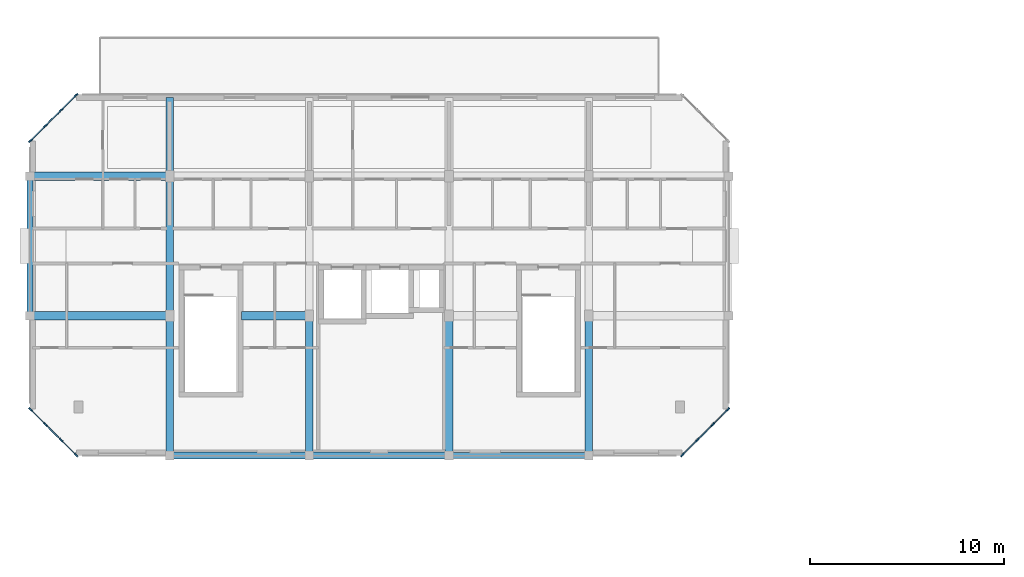
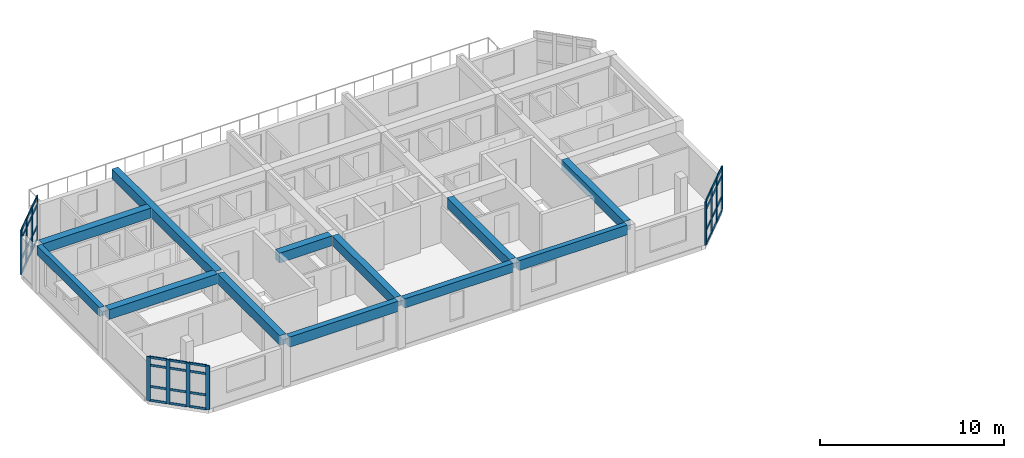
# One storey, part 3 of 30: 48 members, 12 beams, 3 elements without a shape of their own.
"""IFC4 building model written with IfcOpenShell, lengths in metres."""

from ifc_helpers import new_model, si_unit, direction, frame, origin, origin_2d, place, context, subcontext, project, spatial, rectangle, extrude, material, layer, layer_set, material_profile, profile_set, type_object, element, aggregate, save


model = new_model("IFC4")

# Units and contexts
model_context = context("Model", 3, precision=1e-05, world=origin(), true_north=direction((0.0, 1.0)))
body_context = subcontext(model_context, "Body", "Model", "MODEL_VIEW")
ifc_project = project(units=[si_unit("LENGTHUNIT", "METRE"), si_unit("AREAUNIT", "SQUARE_METRE"), si_unit("VOLUMEUNIT", "CUBIC_METRE"), si_unit("PLANEANGLEUNIT", "RADIAN"), si_unit("MASSUNIT", "GRAM", prefix="KILO")], contexts=[model_context])

# Site, building, storey
site_placement = place(None, origin())
site = spatial("IfcSite", under=ifc_project, at=site_placement, CompositionType="ELEMENT")
building_placement = place(site_placement, origin())
building = spatial("IfcBuilding", under=site, at=building_placement, Name="Ochrevale Crest", CompositionType="ELEMENT")
storey_placement = place(building_placement, frame((0.0, 0.0, 33.89990234375)))
storey = spatial("IfcBuildingStorey", under=building, at=storey_placement, Name="L10", CompositionType="ELEMENT", Elevation=33.89990234375)

# Beams
ifc_material_1 = material(Name="Precast concrete C50/60", Category="concrete")
ifc_material_profile_1 = material_profile(ifc_material_1, rectangle(XDim=0.39990234375, YDim=0.64990234375, at=origin_2d()), Name="PC 400x650")
ifc_profile_set_1 = profile_set([ifc_material_profile_1], Name="Precast concrete C50/60")
beam_type_1 = type_object("IfcBeamType", Name="BM-PC400x650", PredefinedType="BEAM", material=ifc_profile_set_1)
beam_1_placement = place(storey_placement, frame((7.199951171875, 72.205078125, 2.8251953125), z_axis=(0.0, 1.0, 0.0), x_axis=(-1.0, 0.0, 0.0)))
element("IfcBeam", 1, at=beam_1_placement, inside=storey, type_object=beam_type_1, Name="Block B L10 N-S beam X=7.2", PredefinedType="BEAM", context=body_context, shape_type="SweptSolid", body=[
    extrude(rectangle(XDim=0.39990234375, YDim=0.64990234375, at=origin_2d()), origin(), (0.0, 0.0, 1.0), 6.7900390625),
])
beam_2_placement = place(storey_placement, frame((7.199951171875, 79.219970703125, 2.8251953125), z_axis=(0.0, 1.0, 0.0), x_axis=(-1.0, 0.0, 0.0)))
element("IfcBeam", 2, at=beam_2_placement, inside=storey, type_object=beam_type_1, Name="Block B L10 N-S beam X=7.2", PredefinedType="BEAM", context=body_context, shape_type="SweptSolid", body=[
    extrude(rectangle(XDim=0.39990234375, YDim=0.64990234375, at=origin_2d()), origin(), (0.0, 0.0, 1.0), 11.22998046875),
])
for number, where, z_axis, x_axis, name in (
    (3, (14.39990234375, 72.205078125, 2.8251953125), (0.0, 1.0, 0.0), (-1.0, 0.0, 0.0), "Block B L10 N-S beam X=14.4"),
    (4, (21.60009765625, 72.205078125, 2.8251953125), (0.0, 1.0, 0.0), (-1.0, 0.0, 0.0), "Block B L10 N-S beam X=21.6"),
    (5, (28.800048828125, 72.205078125, 2.8251953125), (0.0, 1.0, 0.0), (-1.0, 0.0, 0.0), "Block B L10 N-S beam X=28.8"),
):
    element("IfcBeam", number, at=place(storey_placement, frame(where, z_axis=z_axis, x_axis=x_axis)), inside=storey, type_object=beam_type_1, Name=name, PredefinedType="BEAM", context=body_context, shape_type="SweptSolid", body=[
        extrude(rectangle(XDim=0.39990234375, YDim=0.64990234375, at=origin_2d()), origin(), (0.0, 0.0, 1.0), 6.7900390625),
    ])
ifc_material_2 = material(Name="Concrete C50/60", Category="concrete")
ifc_material_profile_2 = material_profile(ifc_material_2, rectangle(XDim=0.449951171875, YDim=0.64990234375, at=origin_2d()), Name="RC 450x650")
ifc_profile_set_2 = profile_set([ifc_material_profile_2], Name="Concrete C50/60")
beam_type_2 = type_object("IfcBeamType", Name="BM-PG450x650", PredefinedType="USERDEFINED", material=ifc_profile_set_2)
beam_3_placement = place(storey_placement, frame((0.199951171875, 79.199951171875, 2.8251953125), z_axis=(1.0, 0.0, 0.0), x_axis=(0.0, 1.0, 0.0)))
element("IfcBeam", 6, at=beam_3_placement, inside=storey, type_object=beam_type_2, Name="Block B L10 E-W beam Y=79.2", ObjectType="GIRDER", PredefinedType="USERDEFINED", context=body_context, shape_type="SweptSolid", body=[
    extrude(rectangle(XDim=0.449951171875, YDim=0.64990234375, at=origin_2d()), origin(), (0.0, 0.0, 1.0), 6.800048828125),
])
beam_4_placement = place(storey_placement, frame((10.889892578125, 79.199951171875, 2.8251953125), z_axis=(1.0, 0.0, 0.0), x_axis=(0.0, 1.0, 0.0)))
element("IfcBeam", 7, at=beam_4_placement, inside=storey, type_object=beam_type_2, Name="Block B L10 E-W beam Y=79.2", ObjectType="GIRDER", PredefinedType="USERDEFINED", context=body_context, shape_type="SweptSolid", body=[
    extrude(rectangle(XDim=0.449951171875, YDim=0.64990234375, at=origin_2d()), origin(), (0.0, 0.0, 1.0), 3.31005859375),
])
beam_5_placement = place(storey_placement, frame((0.199951171875, 86.39990234375, 2.8251953125), z_axis=(1.0, 0.0, 0.0), x_axis=(0.0, 1.0, 0.0)))
element("IfcBeam", 8, at=beam_5_placement, inside=storey, type_object=beam_type_2, Name="Block B L10 E-W beam Y=86.4", ObjectType="GIRDER", PredefinedType="USERDEFINED", context=body_context, shape_type="SweptSolid", body=[
    extrude(rectangle(XDim=0.449951171875, YDim=0.64990234375, at=origin_2d()), origin(), (0.0, 0.0, 1.0), 6.800048828125),
])
ifc_material_3 = material(Name="Precast concrete C40/50", Category="concrete")
ifc_material_profile_3 = material_profile(ifc_material_3, rectangle(XDim=0.300048828125, YDim=0.60009765625, at=origin_2d()), Name="PC 300x600")
ifc_profile_set_3 = profile_set([ifc_material_profile_3], Name="Precast concrete C40/50")
beam_type_3 = type_object("IfcBeamType", Name="BM-SP300x600", PredefinedType="SPANDREL", material=ifc_profile_set_3)
beam_6_placement = place(storey_placement, frame((0.0, 79.405029296875, 2.85009765625), z_axis=(0.0, 1.0, 0.0), x_axis=(-1.0, 0.0, 0.0)))
element("IfcBeam", 9, at=beam_6_placement, inside=storey, type_object=beam_type_3, Name="Block B L10 N-S beam X=0.0", PredefinedType="SPANDREL", context=body_context, shape_type="SweptSolid", body=[
    extrude(rectangle(XDim=0.300048828125, YDim=0.60009765625, at=origin_2d()), origin(), (0.0, 0.0, 1.0), 6.7900390625),
])
ifc_material_profile_4 = material_profile(ifc_material_3, rectangle(XDim=0.300048828125, YDim=0.64990234375, at=origin_2d()), Name="PC 300x650")
ifc_profile_set_4 = profile_set([ifc_material_profile_4], Name="Precast concrete C40/50")
beam_type_4 = type_object("IfcBeamType", Name="BM-SP300x650", PredefinedType="SPANDREL", material=ifc_profile_set_4)
beam_7_placement = place(storey_placement, frame((21.800048828125, 72.0, 2.8251953125), z_axis=(1.0, 0.0, 0.0), x_axis=(0.0, 1.0, 0.0)))
element("IfcBeam", 10, at=beam_7_placement, inside=storey, type_object=beam_type_4, Name="Block B L10 E-W beam Y=72.0", PredefinedType="SPANDREL", context=body_context, shape_type="SweptSolid", body=[
    extrude(rectangle(XDim=0.300048828125, YDim=0.64990234375, at=origin_2d()), origin(), (0.0, 0.0, 1.0), 6.800048828125),
])
ifc_material_profile_5 = material_profile(ifc_material_3, rectangle(XDim=0.35009765625, YDim=0.60009765625, at=origin_2d()), Name="PC 350x600")
ifc_profile_set_5 = profile_set([ifc_material_profile_5], Name="Precast concrete C40/50")
beam_type_5 = type_object("IfcBeamType", Name="BM-SP350x600", PredefinedType="SPANDREL", material=ifc_profile_set_5)
beam_8_placement = place(storey_placement, frame((14.60009765625, 72.0, 2.85009765625), z_axis=(1.0, 0.0, 0.0), x_axis=(0.0, 1.0, 0.0)))
element("IfcBeam", 11, at=beam_8_placement, inside=storey, type_object=beam_type_5, Name="Block B L10 E-W beam Y=72.0", PredefinedType="SPANDREL", context=body_context, shape_type="SweptSolid", body=[
    extrude(rectangle(XDim=0.35009765625, YDim=0.60009765625, at=origin_2d()), origin(), (0.0, 0.0, 1.0), 6.7998046875),
])
ifc_material_profile_6 = material_profile(ifc_material_3, rectangle(XDim=0.35009765625, YDim=0.679931640625, at=origin_2d()), Name="PC 350x680")
ifc_profile_set_6 = profile_set([ifc_material_profile_6], Name="Precast concrete C40/50")
beam_type_6 = type_object("IfcBeamType", Name="BM-SP350x680", PredefinedType="SPANDREL", material=ifc_profile_set_6)
beam_9_placement = place(storey_placement, frame((7.39990234375, 72.0, 2.81005859375), z_axis=(1.0, 0.0, 0.0), x_axis=(0.0, 1.0, 0.0)))
element("IfcBeam", 12, at=beam_9_placement, inside=storey, type_object=beam_type_6, Name="Block B L10 E-W beam Y=72.0", PredefinedType="SPANDREL", context=body_context, shape_type="SweptSolid", body=[
    extrude(rectangle(XDim=0.35009765625, YDim=0.679931640625, at=origin_2d()), origin(), (0.0, 0.0, 1.0), 6.800048828125),
])

# Curtain wall, members
ifc_material_4 = material(Name="Anodised aluminium 6063-T5", Category="aluminium")
ifc_layer_1 = layer(ifc_material_4, 0.14990234375)
ifc_layer_set_1 = layer_set([ifc_layer_1], Name="Anodised aluminium 6063-T5")
curtain_wall_type_1 = type_object("IfcCurtainWallType", Name="CW-WG-320x285", PredefinedType="NOTDEFINED", material=ifc_layer_set_1)
curtain_wall_1_placement = place(storey_placement, origin())
curtain_wall_1 = element("IfcCurtainWall", 13, at=curtain_wall_1_placement, inside=storey, type_object=curtain_wall_type_1, Name="Block B L10 chamfered corner wintergarden curtain wall 2", PredefinedType="NOTDEFINED")
ifc_material_profile_7 = material_profile(ifc_material_4, rectangle(XDim=0.074951171875, YDim=0.219970703125, at=origin_2d()), Name="ALU 75x220")
ifc_profile_set_7 = profile_set([ifc_material_profile_7], Name="Anodised aluminium 6063-T5")
member_type_1 = type_object("IfcMemberType", Name="CW-MUL-75x220", PredefinedType="MULLION", material=ifc_profile_set_7)
member_1_placement = place(storey_placement, frame((33.62646484375, 72.026611328125, 0.0), z_axis=(0.0, 0.0, 1.0), x_axis=(-0.707106781187, 0.707106781187, 0.0)))
member_1 = element("IfcMember", 14, at=member_1_placement, type_object=member_type_1, Name="CW17 mullion 1", PredefinedType="MULLION", context=body_context, shape_type="SweptSolid", body=[
    extrude(rectangle(XDim=0.074951171875, YDim=0.219970703125, at=origin_2d()), origin(), (0.0, 0.0, 1.0), 2.91015625),
])
member_2_placement = place(storey_placement, frame((34.39990234375, 72.800048828125, 0.0), z_axis=(0.0, 0.0, 1.0), x_axis=(-0.707106781187, 0.707106781187, 0.0)))
member_2 = element("IfcMember", 15, at=member_2_placement, type_object=member_type_1, Name="CW17 mullion 2", PredefinedType="MULLION", context=body_context, shape_type="SweptSolid", body=[
    extrude(rectangle(XDim=0.074951171875, YDim=0.219970703125, at=origin_2d()), origin(), (0.0, 0.0, 1.0), 2.91015625),
])
member_3_placement = place(storey_placement, frame((35.199951171875, 73.60009765625, 0.0), z_axis=(0.0, 0.0, 1.0), x_axis=(-0.707106781187, 0.707106781187, 0.0)))
member_3 = element("IfcMember", 16, at=member_3_placement, type_object=member_type_1, Name="CW17 mullion 3", PredefinedType="MULLION", context=body_context, shape_type="SweptSolid", body=[
    extrude(rectangle(XDim=0.074951171875, YDim=0.219970703125, at=origin_2d()), origin(), (0.0, 0.0, 1.0), 2.91015625),
])
member_4_placement = place(storey_placement, frame((35.973388671875, 74.37353515625, 0.0), z_axis=(0.0, 0.0, 1.0), x_axis=(-0.707106781187, 0.707106781187, 0.0)))
member_4 = element("IfcMember", 17, at=member_4_placement, type_object=member_type_1, Name="CW17 mullion 4", PredefinedType="MULLION", context=body_context, shape_type="SweptSolid", body=[
    extrude(rectangle(XDim=0.074951171875, YDim=0.219970703125, at=origin_2d()), origin(), (0.0, 0.0, 1.0), 2.91015625),
])

ifc_layer_2 = layer(ifc_material_4, 0.14990234375)
ifc_layer_set_2 = layer_set([ifc_layer_2], Name="Anodised aluminium 6063-T5")
curtain_wall_type_2 = type_object("IfcCurtainWallType", Name="CW-WG-280x285", PredefinedType="NOTDEFINED", material=ifc_layer_set_2)
curtain_wall_2_placement = place(storey_placement, origin())
curtain_wall_2 = element("IfcCurtainWall", 18, at=curtain_wall_2_placement, inside=storey, type_object=curtain_wall_type_2, Name="Block B L10 chamfered corner wintergarden curtain wall 6", PredefinedType="NOTDEFINED")
member_5_placement = place(storey_placement, frame((2.37353515625, 90.573486328125, 0.0), z_axis=(0.0, 0.0, 1.0), x_axis=(0.707106781187, -0.707106781187, 0.0)))
member_5 = element("IfcMember", 19, at=member_5_placement, type_object=member_type_1, Name="CW16 mullion 1", PredefinedType="MULLION", context=body_context, shape_type="SweptSolid", body=[
    extrude(rectangle(XDim=0.074951171875, YDim=0.219970703125, at=origin_2d()), origin(), (0.0, 0.0, 1.0), 2.91015625),
])
member_6_placement = place(storey_placement, frame((1.60009765625, 89.800048828125, 0.0), z_axis=(0.0, 0.0, 1.0), x_axis=(0.707106781187, -0.707106781187, 0.0)))
member_6 = element("IfcMember", 20, at=member_6_placement, type_object=member_type_1, Name="CW16 mullion 2", PredefinedType="MULLION", context=body_context, shape_type="SweptSolid", body=[
    extrude(rectangle(XDim=0.074951171875, YDim=0.219970703125, at=origin_2d()), origin(), (0.0, 0.0, 1.0), 2.91015625),
])
member_7_placement = place(storey_placement, frame((0.800048828125, 89.0, 0.0), z_axis=(0.0, 0.0, 1.0), x_axis=(0.707106781187, -0.707106781187, 0.0)))
member_7 = element("IfcMember", 21, at=member_7_placement, type_object=member_type_1, Name="CW16 mullion 3", PredefinedType="MULLION", context=body_context, shape_type="SweptSolid", body=[
    extrude(rectangle(XDim=0.074951171875, YDim=0.219970703125, at=origin_2d()), origin(), (0.0, 0.0, 1.0), 2.91015625),
])
member_8_placement = place(storey_placement, frame((0.026611328125, 88.2265625, 0.0), z_axis=(0.0, 0.0, 1.0), x_axis=(0.707106781187, -0.707106781187, 0.0)))
member_8 = element("IfcMember", 22, at=member_8_placement, type_object=member_type_1, Name="CW16 mullion 4", PredefinedType="MULLION", context=body_context, shape_type="SweptSolid", body=[
    extrude(rectangle(XDim=0.074951171875, YDim=0.219970703125, at=origin_2d()), origin(), (0.0, 0.0, 1.0), 2.91015625),
])

ifc_layer_3 = layer(ifc_material_4, 0.14990234375)
ifc_layer_set_3 = layer_set([ifc_layer_3], Name="Anodised aluminium 6063-T5")
curtain_wall_type_3 = type_object("IfcCurtainWallType", Name="CW-WG-360x285", PredefinedType="NOTDEFINED", material=ifc_layer_set_3)
curtain_wall_3_placement = place(storey_placement, origin())
curtain_wall_3 = element("IfcCurtainWall", 23, at=curtain_wall_3_placement, inside=storey, type_object=curtain_wall_type_3, Name="Block B L10 chamfered corner wintergarden curtain wall 8", PredefinedType="NOTDEFINED")
member_9_placement = place(storey_placement, frame((0.026611328125, 74.37353515625, 0.0), z_axis=(0.0, 0.0, 1.0), x_axis=(0.707106781187, 0.707106781187, 0.0)))
member_9 = element("IfcMember", 24, at=member_9_placement, type_object=member_type_1, Name="CW18 mullion 1", PredefinedType="MULLION", context=body_context, shape_type="SweptSolid", body=[
    extrude(rectangle(XDim=0.074951171875, YDim=0.219970703125, at=origin_2d()), origin(), (0.0, 0.0, 1.0), 2.91015625),
])
member_10_placement = place(storey_placement, frame((0.800048828125, 73.60009765625, 0.0), z_axis=(0.0, 0.0, 1.0), x_axis=(0.707106781187, 0.707106781187, 0.0)))
member_10 = element("IfcMember", 25, at=member_10_placement, type_object=member_type_1, Name="CW18 mullion 2", PredefinedType="MULLION", context=body_context, shape_type="SweptSolid", body=[
    extrude(rectangle(XDim=0.074951171875, YDim=0.219970703125, at=origin_2d()), origin(), (0.0, 0.0, 1.0), 2.91015625),
])
member_11_placement = place(storey_placement, frame((1.60009765625, 72.800048828125, 0.0), z_axis=(0.0, 0.0, 1.0), x_axis=(0.707106781187, 0.707106781187, 0.0)))
member_11 = element("IfcMember", 26, at=member_11_placement, type_object=member_type_1, Name="CW18 mullion 3", PredefinedType="MULLION", context=body_context, shape_type="SweptSolid", body=[
    extrude(rectangle(XDim=0.074951171875, YDim=0.219970703125, at=origin_2d()), origin(), (0.0, 0.0, 1.0), 2.91015625),
])
member_12_placement = place(storey_placement, frame((2.37353515625, 72.026611328125, 0.0), z_axis=(0.0, 0.0, 1.0), x_axis=(0.707106781187, 0.707106781187, 0.0)))
member_12 = element("IfcMember", 27, at=member_12_placement, type_object=member_type_1, Name="CW18 mullion 4", PredefinedType="MULLION", context=body_context, shape_type="SweptSolid", body=[
    extrude(rectangle(XDim=0.074951171875, YDim=0.219970703125, at=origin_2d()), origin(), (0.0, 0.0, 1.0), 2.91015625),
])

# Member
ifc_material_profile_8 = material_profile(ifc_material_4, rectangle(XDim=0.06005859375, YDim=0.14990234375, at=origin_2d()), Name="ALU 60x150")
ifc_profile_set_8 = profile_set([ifc_material_profile_8], Name="Anodised aluminium 6063-T5")
member_type_2 = type_object("IfcMemberType", Name="CW-TRN-60x150", PredefinedType="USERDEFINED", material=ifc_profile_set_8)
member_13_placement = place(storey_placement, frame((33.653076171875, 72.052978515625, 0.030029296875), z_axis=(0.707106781187, 0.707106781187, 0.0), x_axis=(-0.707106781187, 0.707106781187, 0.0)))
member_13 = element("IfcMember", 28, at=member_13_placement, type_object=member_type_2, Name="CW17 transom 1.1", ObjectType="TRANSOM", PredefinedType="USERDEFINED", context=body_context, shape_type="SweptSolid", body=[
    extrude(rectangle(XDim=0.06005859375, YDim=0.14990234375, at=origin_2d()), origin(), (0.0, 0.0, 1.0), 1.018798828125),
])

member_14_placement = place(storey_placement, frame((33.653076171875, 72.052978515625, 0.9501953125), z_axis=(0.707106781187, 0.707106781187, 0.0), x_axis=(-0.707106781187, 0.707106781187, 0.0)))
member_14 = element("IfcMember", 29, at=member_14_placement, type_object=member_type_2, Name="CW17 transom 1.2", ObjectType="TRANSOM", PredefinedType="USERDEFINED", context=body_context, shape_type="SweptSolid", body=[
    extrude(rectangle(XDim=0.06005859375, YDim=0.14990234375, at=origin_2d()), origin(), (0.0, 0.0, 1.0), 1.018798828125),
])

member_15_placement = place(storey_placement, frame((33.653076171875, 72.052978515625, 2.360107421875), z_axis=(0.707106781187, 0.707106781187, 0.0), x_axis=(-0.707106781187, 0.707106781187, 0.0)))
member_15 = element("IfcMember", 30, at=member_15_placement, type_object=member_type_2, Name="CW17 transom 1.3", ObjectType="TRANSOM", PredefinedType="USERDEFINED", context=body_context, shape_type="SweptSolid", body=[
    extrude(rectangle(XDim=0.06005859375, YDim=0.14990234375, at=origin_2d()), origin(), (0.0, 0.0, 1.0), 1.018798828125),
])

member_16_placement = place(storey_placement, frame((33.653076171875, 72.052978515625, 2.880126953125), z_axis=(0.707106781187, 0.707106781187, 0.0), x_axis=(-0.707106781187, 0.707106781187, 0.0)))
member_16 = element("IfcMember", 31, at=member_16_placement, type_object=member_type_2, Name="CW17 transom 1.4", ObjectType="TRANSOM", PredefinedType="USERDEFINED", context=body_context, shape_type="SweptSolid", body=[
    extrude(rectangle(XDim=0.06005859375, YDim=0.14990234375, at=origin_2d()), origin(), (0.0, 0.0, 1.0), 1.018798828125),
])

member_17_placement = place(storey_placement, frame((34.426513671875, 72.826416015625, 0.030029296875), z_axis=(0.707106781187, 0.707106781187, 0.0), x_axis=(-0.707106781187, 0.707106781187, 0.0)))
member_17 = element("IfcMember", 32, at=member_17_placement, type_object=member_type_2, Name="CW17 transom 2.1", ObjectType="TRANSOM", PredefinedType="USERDEFINED", context=body_context, shape_type="SweptSolid", body=[
    extrude(rectangle(XDim=0.06005859375, YDim=0.14990234375, at=origin_2d()), origin(), (0.0, 0.0, 1.0), 1.056396484375),
])

member_18_placement = place(storey_placement, frame((34.426513671875, 72.826416015625, 0.9501953125), z_axis=(0.707106781187, 0.707106781187, 0.0), x_axis=(-0.707106781187, 0.707106781187, 0.0)))
member_18 = element("IfcMember", 33, at=member_18_placement, type_object=member_type_2, Name="CW17 transom 2.2", ObjectType="TRANSOM", PredefinedType="USERDEFINED", context=body_context, shape_type="SweptSolid", body=[
    extrude(rectangle(XDim=0.06005859375, YDim=0.14990234375, at=origin_2d()), origin(), (0.0, 0.0, 1.0), 1.056396484375),
])

member_19_placement = place(storey_placement, frame((34.426513671875, 72.826416015625, 2.360107421875), z_axis=(0.707106781187, 0.707106781187, 0.0), x_axis=(-0.707106781187, 0.707106781187, 0.0)))
member_19 = element("IfcMember", 34, at=member_19_placement, type_object=member_type_2, Name="CW17 transom 2.3", ObjectType="TRANSOM", PredefinedType="USERDEFINED", context=body_context, shape_type="SweptSolid", body=[
    extrude(rectangle(XDim=0.06005859375, YDim=0.14990234375, at=origin_2d()), origin(), (0.0, 0.0, 1.0), 1.056396484375),
])

member_20_placement = place(storey_placement, frame((34.426513671875, 72.826416015625, 2.880126953125), z_axis=(0.707106781187, 0.707106781187, 0.0), x_axis=(-0.707106781187, 0.707106781187, 0.0)))
member_20 = element("IfcMember", 35, at=member_20_placement, type_object=member_type_2, Name="CW17 transom 2.4", ObjectType="TRANSOM", PredefinedType="USERDEFINED", context=body_context, shape_type="SweptSolid", body=[
    extrude(rectangle(XDim=0.06005859375, YDim=0.14990234375, at=origin_2d()), origin(), (0.0, 0.0, 1.0), 1.056396484375),
])

member_21_placement = place(storey_placement, frame((35.2265625, 73.62646484375, 0.030029296875), z_axis=(0.707106781187, 0.707106781187, 0.0), x_axis=(-0.707106781187, 0.707106781187, 0.0)))
member_21 = element("IfcMember", 36, at=member_21_placement, type_object=member_type_2, Name="CW17 transom 3.1", ObjectType="TRANSOM", PredefinedType="USERDEFINED", context=body_context, shape_type="SweptSolid", body=[
    extrude(rectangle(XDim=0.06005859375, YDim=0.14990234375, at=origin_2d()), origin(), (0.0, 0.0, 1.0), 1.018798828125),
])

member_22_placement = place(storey_placement, frame((35.2265625, 73.62646484375, 0.9501953125), z_axis=(0.707106781187, 0.707106781187, 0.0), x_axis=(-0.707106781187, 0.707106781187, 0.0)))
member_22 = element("IfcMember", 37, at=member_22_placement, type_object=member_type_2, Name="CW17 transom 3.2", ObjectType="TRANSOM", PredefinedType="USERDEFINED", context=body_context, shape_type="SweptSolid", body=[
    extrude(rectangle(XDim=0.06005859375, YDim=0.14990234375, at=origin_2d()), origin(), (0.0, 0.0, 1.0), 1.018798828125),
])

member_23_placement = place(storey_placement, frame((35.2265625, 73.62646484375, 2.360107421875), z_axis=(0.707106781187, 0.707106781187, 0.0), x_axis=(-0.707106781187, 0.707106781187, 0.0)))
member_23 = element("IfcMember", 38, at=member_23_placement, type_object=member_type_2, Name="CW17 transom 3.3", ObjectType="TRANSOM", PredefinedType="USERDEFINED", context=body_context, shape_type="SweptSolid", body=[
    extrude(rectangle(XDim=0.06005859375, YDim=0.14990234375, at=origin_2d()), origin(), (0.0, 0.0, 1.0), 1.018798828125),
])

member_24_placement = place(storey_placement, frame((35.2265625, 73.62646484375, 2.880126953125), z_axis=(0.707106781187, 0.707106781187, 0.0), x_axis=(-0.707106781187, 0.707106781187, 0.0)))
member_24 = element("IfcMember", 39, at=member_24_placement, type_object=member_type_2, Name="CW17 transom 3.4", ObjectType="TRANSOM", PredefinedType="USERDEFINED", context=body_context, shape_type="SweptSolid", body=[
    extrude(rectangle(XDim=0.06005859375, YDim=0.14990234375, at=origin_2d()), origin(), (0.0, 0.0, 1.0), 1.018798828125),
])

aggregate(curtain_wall_1, [member_1, member_2, member_3, member_4, member_13, member_14, member_15, member_16, member_17, member_18, member_19, member_20, member_21, member_22, member_23, member_24])

member_25_placement = place(storey_placement, frame((2.346923828125, 90.546875, 0.030029296875), z_axis=(-0.707106781187, -0.707106781187, 0.0), x_axis=(0.707106781187, -0.707106781187, 0.0)))
member_25 = element("IfcMember", 40, at=member_25_placement, type_object=member_type_2, Name="CW16 transom 1.1", ObjectType="TRANSOM", PredefinedType="USERDEFINED", context=body_context, shape_type="SweptSolid", body=[
    extrude(rectangle(XDim=0.06005859375, YDim=0.14990234375, at=origin_2d()), origin(), (0.0, 0.0, 1.0), 1.018798828125),
])

member_26_placement = place(storey_placement, frame((2.346923828125, 90.546875, 0.9501953125), z_axis=(-0.707106781187, -0.707106781187, 0.0), x_axis=(0.707106781187, -0.707106781187, 0.0)))
member_26 = element("IfcMember", 41, at=member_26_placement, type_object=member_type_2, Name="CW16 transom 1.2", ObjectType="TRANSOM", PredefinedType="USERDEFINED", context=body_context, shape_type="SweptSolid", body=[
    extrude(rectangle(XDim=0.06005859375, YDim=0.14990234375, at=origin_2d()), origin(), (0.0, 0.0, 1.0), 1.018798828125),
])

member_27_placement = place(storey_placement, frame((2.346923828125, 90.546875, 2.360107421875), z_axis=(-0.707106781187, -0.707106781187, 0.0), x_axis=(0.707106781187, -0.707106781187, 0.0)))
member_27 = element("IfcMember", 42, at=member_27_placement, type_object=member_type_2, Name="CW16 transom 1.3", ObjectType="TRANSOM", PredefinedType="USERDEFINED", context=body_context, shape_type="SweptSolid", body=[
    extrude(rectangle(XDim=0.06005859375, YDim=0.14990234375, at=origin_2d()), origin(), (0.0, 0.0, 1.0), 1.018798828125),
])

member_28_placement = place(storey_placement, frame((2.346923828125, 90.546875, 2.880126953125), z_axis=(-0.707106781187, -0.707106781187, 0.0), x_axis=(0.707106781187, -0.707106781187, 0.0)))
member_28 = element("IfcMember", 43, at=member_28_placement, type_object=member_type_2, Name="CW16 transom 1.4", ObjectType="TRANSOM", PredefinedType="USERDEFINED", context=body_context, shape_type="SweptSolid", body=[
    extrude(rectangle(XDim=0.06005859375, YDim=0.14990234375, at=origin_2d()), origin(), (0.0, 0.0, 1.0), 1.018798828125),
])

member_29_placement = place(storey_placement, frame((1.573486328125, 89.7734375, 0.030029296875), z_axis=(-0.707222330948, -0.706991212539, 0.0), x_axis=(0.706991212539, -0.707222330948, 0.0)))
member_29 = element("IfcMember", 44, at=member_29_placement, type_object=member_type_2, Name="CW16 transom 2.1", ObjectType="TRANSOM", PredefinedType="USERDEFINED", context=body_context, shape_type="SweptSolid", body=[
    extrude(rectangle(XDim=0.06005859375, YDim=0.14990234375, at=origin_2d()), origin(), (0.0, 0.0, 1.0), 1.056396484375),
])

member_30_placement = place(storey_placement, frame((1.573486328125, 89.7734375, 0.9501953125), z_axis=(-0.707222330948, -0.706991212539, 0.0), x_axis=(0.706991212539, -0.707222330948, 0.0)))
member_30 = element("IfcMember", 45, at=member_30_placement, type_object=member_type_2, Name="CW16 transom 2.2", ObjectType="TRANSOM", PredefinedType="USERDEFINED", context=body_context, shape_type="SweptSolid", body=[
    extrude(rectangle(XDim=0.06005859375, YDim=0.14990234375, at=origin_2d()), origin(), (0.0, 0.0, 1.0), 1.056396484375),
])

member_31_placement = place(storey_placement, frame((1.573486328125, 89.7734375, 2.360107421875), z_axis=(-0.707222330948, -0.706991212539, 0.0), x_axis=(0.706991212539, -0.707222330948, 0.0)))
member_31 = element("IfcMember", 46, at=member_31_placement, type_object=member_type_2, Name="CW16 transom 2.3", ObjectType="TRANSOM", PredefinedType="USERDEFINED", context=body_context, shape_type="SweptSolid", body=[
    extrude(rectangle(XDim=0.06005859375, YDim=0.14990234375, at=origin_2d()), origin(), (0.0, 0.0, 1.0), 1.056396484375),
])

member_32_placement = place(storey_placement, frame((1.573486328125, 89.7734375, 2.880126953125), z_axis=(-0.707222330948, -0.706991212539, 0.0), x_axis=(0.706991212539, -0.707222330948, 0.0)))
member_32 = element("IfcMember", 47, at=member_32_placement, type_object=member_type_2, Name="CW16 transom 2.4", ObjectType="TRANSOM", PredefinedType="USERDEFINED", context=body_context, shape_type="SweptSolid", body=[
    extrude(rectangle(XDim=0.06005859375, YDim=0.14990234375, at=origin_2d()), origin(), (0.0, 0.0, 1.0), 1.056396484375),
])

member_33_placement = place(storey_placement, frame((0.7734375, 88.973388671875, 0.030029296875), z_axis=(-0.707106781187, -0.707106781187, 0.0), x_axis=(0.707106781187, -0.707106781187, 0.0)))
member_33 = element("IfcMember", 48, at=member_33_placement, type_object=member_type_2, Name="CW16 transom 3.1", ObjectType="TRANSOM", PredefinedType="USERDEFINED", context=body_context, shape_type="SweptSolid", body=[
    extrude(rectangle(XDim=0.06005859375, YDim=0.14990234375, at=origin_2d()), origin(), (0.0, 0.0, 1.0), 1.018798828125),
])

member_34_placement = place(storey_placement, frame((0.7734375, 88.973388671875, 0.9501953125), z_axis=(-0.707106781187, -0.707106781187, 0.0), x_axis=(0.707106781187, -0.707106781187, 0.0)))
member_34 = element("IfcMember", 49, at=member_34_placement, type_object=member_type_2, Name="CW16 transom 3.2", ObjectType="TRANSOM", PredefinedType="USERDEFINED", context=body_context, shape_type="SweptSolid", body=[
    extrude(rectangle(XDim=0.06005859375, YDim=0.14990234375, at=origin_2d()), origin(), (0.0, 0.0, 1.0), 1.018798828125),
])

member_35_placement = place(storey_placement, frame((0.7734375, 88.973388671875, 2.360107421875), z_axis=(-0.707106781187, -0.707106781187, 0.0), x_axis=(0.707106781187, -0.707106781187, 0.0)))
member_35 = element("IfcMember", 50, at=member_35_placement, type_object=member_type_2, Name="CW16 transom 3.3", ObjectType="TRANSOM", PredefinedType="USERDEFINED", context=body_context, shape_type="SweptSolid", body=[
    extrude(rectangle(XDim=0.06005859375, YDim=0.14990234375, at=origin_2d()), origin(), (0.0, 0.0, 1.0), 1.018798828125),
])

member_36_placement = place(storey_placement, frame((0.7734375, 88.973388671875, 2.880126953125), z_axis=(-0.707106781187, -0.707106781187, 0.0), x_axis=(0.707106781187, -0.707106781187, 0.0)))
member_36 = element("IfcMember", 51, at=member_36_placement, type_object=member_type_2, Name="CW16 transom 3.4", ObjectType="TRANSOM", PredefinedType="USERDEFINED", context=body_context, shape_type="SweptSolid", body=[
    extrude(rectangle(XDim=0.06005859375, YDim=0.14990234375, at=origin_2d()), origin(), (0.0, 0.0, 1.0), 1.018798828125),
])

aggregate(curtain_wall_2, [member_5, member_6, member_7, member_8, member_25, member_26, member_27, member_28, member_29, member_30, member_31, member_32, member_33, member_34, member_35, member_36])

member_37_placement = place(storey_placement, frame((0.052978515625, 74.346923828125, 0.030029296875), z_axis=(0.707106781187, -0.707106781187, 0.0), x_axis=(0.707106781187, 0.707106781187, 0.0)))
member_37 = element("IfcMember", 52, at=member_37_placement, type_object=member_type_2, Name="CW18 transom 1.1", ObjectType="TRANSOM", PredefinedType="USERDEFINED", context=body_context, shape_type="SweptSolid", body=[
    extrude(rectangle(XDim=0.06005859375, YDim=0.14990234375, at=origin_2d()), origin(), (0.0, 0.0, 1.0), 1.018798828125),
])

member_38_placement = place(storey_placement, frame((0.052978515625, 74.346923828125, 0.9501953125), z_axis=(0.707106781187, -0.707106781187, 0.0), x_axis=(0.707106781187, 0.707106781187, 0.0)))
member_38 = element("IfcMember", 53, at=member_38_placement, type_object=member_type_2, Name="CW18 transom 1.2", ObjectType="TRANSOM", PredefinedType="USERDEFINED", context=body_context, shape_type="SweptSolid", body=[
    extrude(rectangle(XDim=0.06005859375, YDim=0.14990234375, at=origin_2d()), origin(), (0.0, 0.0, 1.0), 1.018798828125),
])

member_39_placement = place(storey_placement, frame((0.052978515625, 74.346923828125, 2.360107421875), z_axis=(0.707106781187, -0.707106781187, 0.0), x_axis=(0.707106781187, 0.707106781187, 0.0)))
member_39 = element("IfcMember", 54, at=member_39_placement, type_object=member_type_2, Name="CW18 transom 1.3", ObjectType="TRANSOM", PredefinedType="USERDEFINED", context=body_context, shape_type="SweptSolid", body=[
    extrude(rectangle(XDim=0.06005859375, YDim=0.14990234375, at=origin_2d()), origin(), (0.0, 0.0, 1.0), 1.018798828125),
])

member_40_placement = place(storey_placement, frame((0.052978515625, 74.346923828125, 2.880126953125), z_axis=(0.707106781187, -0.707106781187, 0.0), x_axis=(0.707106781187, 0.707106781187, 0.0)))
member_40 = element("IfcMember", 55, at=member_40_placement, type_object=member_type_2, Name="CW18 transom 1.4", ObjectType="TRANSOM", PredefinedType="USERDEFINED", context=body_context, shape_type="SweptSolid", body=[
    extrude(rectangle(XDim=0.06005859375, YDim=0.14990234375, at=origin_2d()), origin(), (0.0, 0.0, 1.0), 1.018798828125),
])

member_41_placement = place(storey_placement, frame((0.826416015625, 73.573486328125, 0.030029296875), z_axis=(0.707106781187, -0.707106781187, 0.0), x_axis=(0.707106781187, 0.707106781187, 0.0)))
member_41 = element("IfcMember", 56, at=member_41_placement, type_object=member_type_2, Name="CW18 transom 2.1", ObjectType="TRANSOM", PredefinedType="USERDEFINED", context=body_context, shape_type="SweptSolid", body=[
    extrude(rectangle(XDim=0.06005859375, YDim=0.14990234375, at=origin_2d()), origin(), (0.0, 0.0, 1.0), 1.056396484375),
])

member_42_placement = place(storey_placement, frame((0.826416015625, 73.573486328125, 0.9501953125), z_axis=(0.707106781187, -0.707106781187, 0.0), x_axis=(0.707106781187, 0.707106781187, 0.0)))
member_42 = element("IfcMember", 57, at=member_42_placement, type_object=member_type_2, Name="CW18 transom 2.2", ObjectType="TRANSOM", PredefinedType="USERDEFINED", context=body_context, shape_type="SweptSolid", body=[
    extrude(rectangle(XDim=0.06005859375, YDim=0.14990234375, at=origin_2d()), origin(), (0.0, 0.0, 1.0), 1.056396484375),
])

member_43_placement = place(storey_placement, frame((0.826416015625, 73.573486328125, 2.360107421875), z_axis=(0.707106781187, -0.707106781187, 0.0), x_axis=(0.707106781187, 0.707106781187, 0.0)))
member_43 = element("IfcMember", 58, at=member_43_placement, type_object=member_type_2, Name="CW18 transom 2.3", ObjectType="TRANSOM", PredefinedType="USERDEFINED", context=body_context, shape_type="SweptSolid", body=[
    extrude(rectangle(XDim=0.06005859375, YDim=0.14990234375, at=origin_2d()), origin(), (0.0, 0.0, 1.0), 1.056396484375),
])

member_44_placement = place(storey_placement, frame((0.826416015625, 73.573486328125, 2.880126953125), z_axis=(0.707106781187, -0.707106781187, 0.0), x_axis=(0.707106781187, 0.707106781187, 0.0)))
member_44 = element("IfcMember", 59, at=member_44_placement, type_object=member_type_2, Name="CW18 transom 2.4", ObjectType="TRANSOM", PredefinedType="USERDEFINED", context=body_context, shape_type="SweptSolid", body=[
    extrude(rectangle(XDim=0.06005859375, YDim=0.14990234375, at=origin_2d()), origin(), (0.0, 0.0, 1.0), 1.056396484375),
])

member_45_placement = place(storey_placement, frame((1.62646484375, 72.7734375, 0.030029296875), z_axis=(0.707106781187, -0.707106781187, 0.0), x_axis=(0.707106781187, 0.707106781187, 0.0)))
member_45 = element("IfcMember", 60, at=member_45_placement, type_object=member_type_2, Name="CW18 transom 3.1", ObjectType="TRANSOM", PredefinedType="USERDEFINED", context=body_context, shape_type="SweptSolid", body=[
    extrude(rectangle(XDim=0.06005859375, YDim=0.14990234375, at=origin_2d()), origin(), (0.0, 0.0, 1.0), 1.018798828125),
])

member_46_placement = place(storey_placement, frame((1.62646484375, 72.7734375, 0.9501953125), z_axis=(0.707106781187, -0.707106781187, 0.0), x_axis=(0.707106781187, 0.707106781187, 0.0)))
member_46 = element("IfcMember", 61, at=member_46_placement, type_object=member_type_2, Name="CW18 transom 3.2", ObjectType="TRANSOM", PredefinedType="USERDEFINED", context=body_context, shape_type="SweptSolid", body=[
    extrude(rectangle(XDim=0.06005859375, YDim=0.14990234375, at=origin_2d()), origin(), (0.0, 0.0, 1.0), 1.018798828125),
])

member_47_placement = place(storey_placement, frame((1.62646484375, 72.7734375, 2.360107421875), z_axis=(0.707106781187, -0.707106781187, 0.0), x_axis=(0.707106781187, 0.707106781187, 0.0)))
member_47 = element("IfcMember", 62, at=member_47_placement, type_object=member_type_2, Name="CW18 transom 3.3", ObjectType="TRANSOM", PredefinedType="USERDEFINED", context=body_context, shape_type="SweptSolid", body=[
    extrude(rectangle(XDim=0.06005859375, YDim=0.14990234375, at=origin_2d()), origin(), (0.0, 0.0, 1.0), 1.018798828125),
])

member_48_placement = place(storey_placement, frame((1.62646484375, 72.7734375, 2.880126953125), z_axis=(0.707106781187, -0.707106781187, 0.0), x_axis=(0.707106781187, 0.707106781187, 0.0)))
member_48 = element("IfcMember", 63, at=member_48_placement, type_object=member_type_2, Name="CW18 transom 3.4", ObjectType="TRANSOM", PredefinedType="USERDEFINED", context=body_context, shape_type="SweptSolid", body=[
    extrude(rectangle(XDim=0.06005859375, YDim=0.14990234375, at=origin_2d()), origin(), (0.0, 0.0, 1.0), 1.018798828125),
])

aggregate(curtain_wall_3, [member_9, member_10, member_11, member_12, member_37, member_38, member_39, member_40, member_41, member_42, member_43, member_44, member_45, member_46, member_47, member_48])

save(model, "model.ifc")
